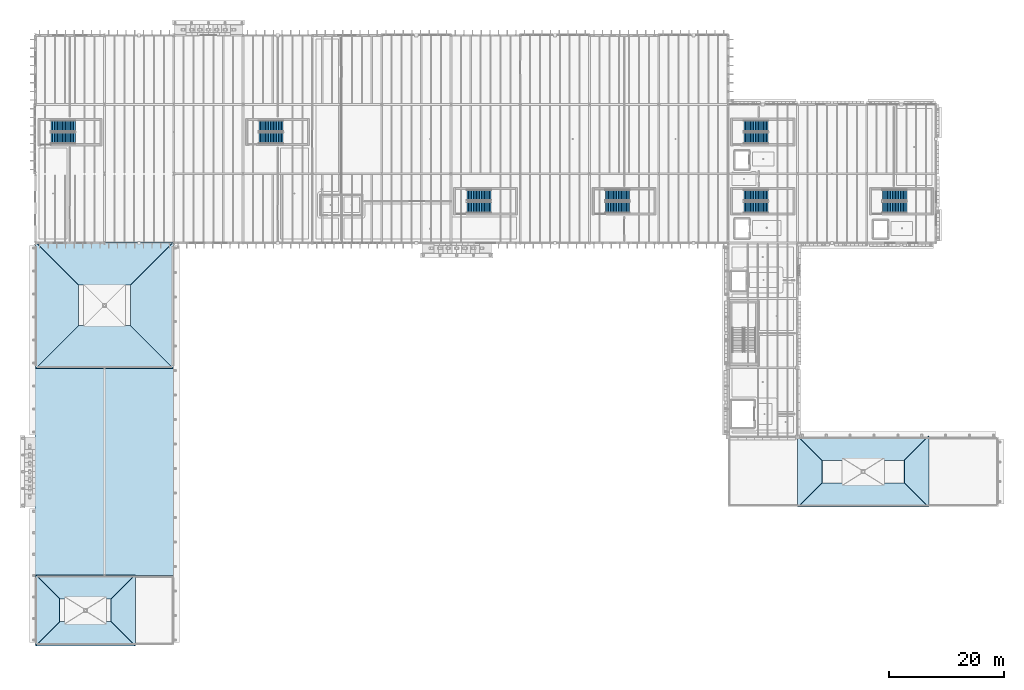
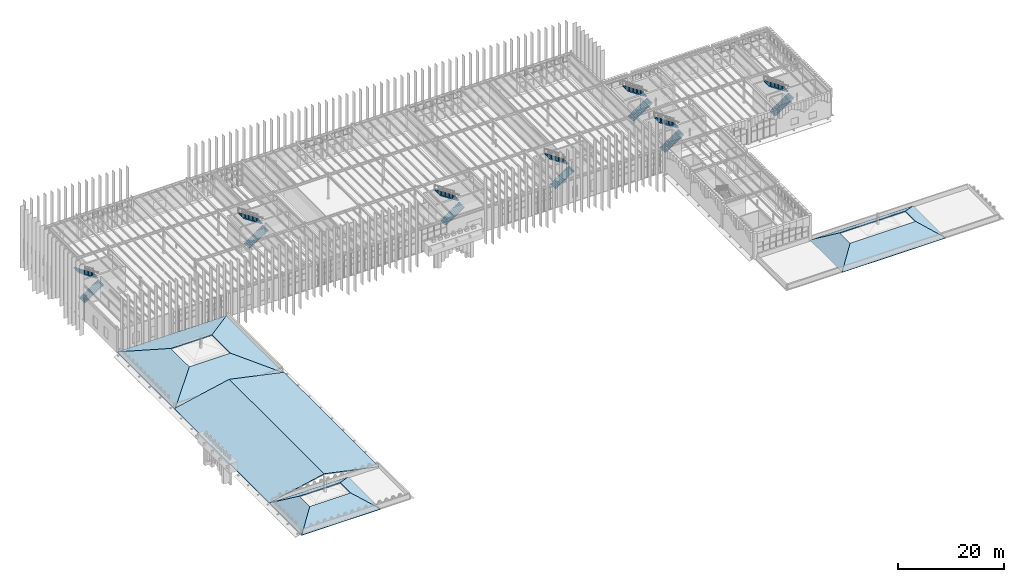
# One storey, part 51 of 83: 14 roofs, 14 stair flights, 7 elements without a shape of their own.
"""IFC4 building model written with IfcOpenShell, lengths in metres."""

from ifc_helpers import new_model, si_unit, direction, frame, origin, place, context, subcontext, project, spatial, polyline, outline, extrude, material, layer, layer_set, type_object, element, aggregate, save


model = new_model("IFC4")

# Units and contexts
model_context = context("Model", 3, precision=1e-05, world=origin(), true_north=direction((0.0, 1.0)))
body_context = subcontext(model_context, "Body", "Model", "MODEL_VIEW")
ifc_project = project(units=[si_unit("LENGTHUNIT", "METRE"), si_unit("AREAUNIT", "SQUARE_METRE"), si_unit("VOLUMEUNIT", "CUBIC_METRE"), si_unit("PLANEANGLEUNIT", "RADIAN"), si_unit("MASSUNIT", "GRAM", prefix="KILO")], contexts=[model_context])

# Site, building, storey
site_placement = place(None, origin())
site = spatial("IfcSite", under=ifc_project, at=site_placement, CompositionType="ELEMENT")
building_placement = place(site_placement, origin())
building = spatial("IfcBuilding", under=site, at=building_placement, Name="Zlatogorsky Bluff Art Gallery", CompositionType="ELEMENT")
storey_placement = place(building_placement, frame((0.0, 0.0, 10.800048828125)))
storey = spatial("IfcBuildingStorey", under=building, at=storey_placement, Name="L02", CompositionType="ELEMENT", Elevation=10.800048828125)

# Stair, stair flights
ifc_material_1 = material(Name="Concrete C30/37", Category="concrete")
stair_type = type_object("IfcStairType", Name="Protected Dogleg Stair ST-T6", PredefinedType="HALF_TURN_STAIR", material=ifc_material_1)
stair_1_placement = place(storey_placement, origin())
stair_1 = element("IfcStair", 1, at=stair_1_placement, inside=storey, type_object=stair_type, Name="L02 Protected Exit Stair ST-01", PredefinedType="HALF_TURN_STAIR")
stair_flight_type = type_object("IfcStairFlightType", Name="Stair Flight ST-T6", PredefinedType="STRAIGHT", material=ifc_material_1)
stair_flight_1_placement = place(storey_placement, frame((98.75, 90.175048828125, 0.0), z_axis=(0.0, 0.0, 1.0), x_axis=(1.0, 0.0, 0.0)))
stair_flight_1 = element("IfcStairFlight", 2, at=stair_flight_1_placement, type_object=stair_flight_type, Name="ST-01 flight 1", NumberOfRisers=16, NumberOfTreads=15, PredefinedType="STRAIGHT", RiserHeight=0.1875, TreadLength=0.28, context=body_context, shape_type="SweptSolid", body=[
    extrude(outline(polyline([(0.0, 0.0), (0.0, 0.1875), (0.280029296875, 0.1875), (0.280029296875, 0.375), (0.56005859375, 0.375), (0.56005859375, 0.5625), (0.840087890625, 0.5625), (0.840087890625, 0.75), (1.1201171875, 0.75), (1.1201171875, 0.9375), (1.39990234375, 0.9375), (1.39990234375, 1.125), (1.679931640625, 1.125), (1.679931640625, 1.3125), (1.9599609375, 1.3125), (1.9599609375, 1.5), (2.239990234375, 1.5), (2.239990234375, 1.6875), (2.52001953125, 1.6875), (2.52001953125, 1.875), (2.800048828125, 1.875), (2.800048828125, 2.0625), (3.080078125, 2.0625), (3.080078125, 2.25), (3.360107421875, 2.25), (3.360107421875, 2.4375), (3.639892578125, 2.4375), (3.639892578125, 2.625), (3.919921875, 2.625), (3.919921875, 2.8125), (4.199951171875, 2.8125), (4.199951171875, 3.0), (4.199951171875, 2.595947265625), (0.323486328125, 0.0), (0.0, 0.0)])), frame((0.0, 0.97509765625, 0.0), z_axis=(0.0, -1.0, 0.0), x_axis=(1.0, 0.0, 0.0)), (0.0, 0.0, 1.0), 1.949951171875),
])
stair_flight_2_placement = place(storey_placement, frame((102.949951171875, 92.27490234375, 3.0), z_axis=(0.0, 0.0, 1.0), x_axis=(-1.0, 0.0, 0.0)))
stair_flight_2 = element("IfcStairFlight", 3, at=stair_flight_2_placement, type_object=stair_flight_type, Name="ST-01 flight 2", NumberOfRisers=16, NumberOfTreads=15, PredefinedType="STRAIGHT", RiserHeight=0.1875, TreadLength=0.28, context=body_context, shape_type="SweptSolid", body=[
    extrude(outline(polyline([(0.0, 0.0), (0.0, 0.1875), (0.280029296875, 0.1875), (0.280029296875, 0.375), (0.56005859375, 0.375), (0.56005859375, 0.5625), (0.840087890625, 0.5625), (0.840087890625, 0.75), (1.1201171875, 0.75), (1.1201171875, 0.9375), (1.39990234375, 0.9375), (1.39990234375, 1.125), (1.679931640625, 1.125), (1.679931640625, 1.3125), (1.9599609375, 1.3125), (1.9599609375, 1.5), (2.239990234375, 1.5), (2.239990234375, 1.6875), (2.52001953125, 1.6875), (2.52001953125, 1.875), (2.800048828125, 1.875), (2.800048828125, 2.0625), (3.080078125, 2.0625), (3.080078125, 2.25), (3.360107421875, 2.25), (3.360107421875, 2.4375), (3.639892578125, 2.4375), (3.639892578125, 2.625), (3.919921875, 2.625), (3.919921875, 2.8125), (4.199951171875, 2.8125), (4.199951171875, 3.0), (4.199951171875, 2.595947265625), (0.323486328125, 0.0), (0.0, 0.0)])), frame((0.0, 0.97509765625, 0.0), z_axis=(0.0, -1.0, 0.0), x_axis=(1.0, 0.0, 0.0)), (0.0, 0.0, 1.0), 1.949951171875),
])
aggregate(stair_1, [stair_flight_1, stair_flight_2])

stair_2_placement = place(storey_placement, origin())
stair_2 = element("IfcStair", 4, at=stair_2_placement, inside=storey, type_object=stair_type, Name="L02 Protected Exit Stair ST-02", PredefinedType="HALF_TURN_STAIR")
stair_flight_3_placement = place(storey_placement, frame((122.75, 90.175048828125, 0.0), z_axis=(0.0, 0.0, 1.0), x_axis=(1.0, 0.0, 0.0)))
stair_flight_3 = element("IfcStairFlight", 5, at=stair_flight_3_placement, type_object=stair_flight_type, Name="ST-02 flight 1", NumberOfRisers=16, NumberOfTreads=15, PredefinedType="STRAIGHT", RiserHeight=0.1875, TreadLength=0.28, context=body_context, shape_type="SweptSolid", body=[
    extrude(outline(polyline([(0.0, 0.0), (0.0, 0.1875), (0.280029296875, 0.1875), (0.280029296875, 0.375), (0.56005859375, 0.375), (0.56005859375, 0.5625), (0.840087890625, 0.5625), (0.840087890625, 0.75), (1.1201171875, 0.75), (1.1201171875, 0.9375), (1.39990234375, 0.9375), (1.39990234375, 1.125), (1.679931640625, 1.125), (1.679931640625, 1.3125), (1.9599609375, 1.3125), (1.9599609375, 1.5), (2.239990234375, 1.5), (2.239990234375, 1.6875), (2.52001953125, 1.6875), (2.52001953125, 1.875), (2.800048828125, 1.875), (2.800048828125, 2.0625), (3.080078125, 2.0625), (3.080078125, 2.25), (3.360107421875, 2.25), (3.360107421875, 2.4375), (3.639892578125, 2.4375), (3.639892578125, 2.625), (3.919921875, 2.625), (3.919921875, 2.8125), (4.199951171875, 2.8125), (4.199951171875, 3.0), (4.199951171875, 2.595947265625), (0.323486328125, 0.0), (0.0, 0.0)])), frame((0.0, 0.97509765625, 0.0), z_axis=(0.0, -1.0, 0.0), x_axis=(1.0, 0.0, 0.0)), (0.0, 0.0, 1.0), 1.949951171875),
])
stair_flight_4_placement = place(storey_placement, frame((126.949951171875, 92.27490234375, 3.0), z_axis=(0.0, 0.0, 1.0), x_axis=(-1.0, 0.0, 0.0)))
stair_flight_4 = element("IfcStairFlight", 6, at=stair_flight_4_placement, type_object=stair_flight_type, Name="ST-02 flight 2", NumberOfRisers=16, NumberOfTreads=15, PredefinedType="STRAIGHT", RiserHeight=0.1875, TreadLength=0.28, context=body_context, shape_type="SweptSolid", body=[
    extrude(outline(polyline([(0.0, 0.0), (0.0, 0.1875), (0.280029296875, 0.1875), (0.280029296875, 0.375), (0.56005859375, 0.375), (0.56005859375, 0.5625), (0.840087890625, 0.5625), (0.840087890625, 0.75), (1.1201171875, 0.75), (1.1201171875, 0.9375), (1.39990234375, 0.9375), (1.39990234375, 1.125), (1.679931640625, 1.125), (1.679931640625, 1.3125), (1.9599609375, 1.3125), (1.9599609375, 1.5), (2.239990234375, 1.5), (2.239990234375, 1.6875), (2.52001953125, 1.6875), (2.52001953125, 1.875), (2.800048828125, 1.875), (2.800048828125, 2.0625), (3.080078125, 2.0625), (3.080078125, 2.25), (3.360107421875, 2.25), (3.360107421875, 2.4375), (3.639892578125, 2.4375), (3.639892578125, 2.625), (3.919921875, 2.625), (3.919921875, 2.8125), (4.199951171875, 2.8125), (4.199951171875, 3.0), (4.199951171875, 2.595947265625), (0.323486328125, 0.0), (0.0, 0.0)])), frame((0.0, 0.97509765625, 0.0), z_axis=(0.0, -1.0, 0.0), x_axis=(1.0, 0.0, 0.0)), (0.0, 0.0, 1.0), 1.949951171875),
])
aggregate(stair_2, [stair_flight_3, stair_flight_4])

stair_3_placement = place(storey_placement, origin())
stair_3 = element("IfcStair", 7, at=stair_3_placement, inside=storey, type_object=stair_type, Name="L02 Protected Exit Stair ST-03", PredefinedType="HALF_TURN_STAIR")
stair_flight_5_placement = place(storey_placement, frame((122.75, 102.175048828125, 0.0), z_axis=(0.0, 0.0, 1.0), x_axis=(1.0, 0.0, 0.0)))
stair_flight_5 = element("IfcStairFlight", 8, at=stair_flight_5_placement, type_object=stair_flight_type, Name="ST-03 flight 1", NumberOfRisers=16, NumberOfTreads=15, PredefinedType="STRAIGHT", RiserHeight=0.1875, TreadLength=0.28, context=body_context, shape_type="SweptSolid", body=[
    extrude(outline(polyline([(0.0, 0.0), (0.0, 0.1875), (0.280029296875, 0.1875), (0.280029296875, 0.375), (0.56005859375, 0.375), (0.56005859375, 0.5625), (0.840087890625, 0.5625), (0.840087890625, 0.75), (1.1201171875, 0.75), (1.1201171875, 0.9375), (1.39990234375, 0.9375), (1.39990234375, 1.125), (1.679931640625, 1.125), (1.679931640625, 1.3125), (1.9599609375, 1.3125), (1.9599609375, 1.5), (2.239990234375, 1.5), (2.239990234375, 1.6875), (2.52001953125, 1.6875), (2.52001953125, 1.875), (2.800048828125, 1.875), (2.800048828125, 2.0625), (3.080078125, 2.0625), (3.080078125, 2.25), (3.360107421875, 2.25), (3.360107421875, 2.4375), (3.639892578125, 2.4375), (3.639892578125, 2.625), (3.919921875, 2.625), (3.919921875, 2.8125), (4.199951171875, 2.8125), (4.199951171875, 3.0), (4.199951171875, 2.595947265625), (0.323486328125, 0.0), (0.0, 0.0)])), frame((0.0, 0.97509765625, 0.0), z_axis=(0.0, -1.0, 0.0), x_axis=(1.0, 0.0, 0.0)), (0.0, 0.0, 1.0), 1.949951171875),
])
stair_flight_6_placement = place(storey_placement, frame((126.949951171875, 104.27490234375, 3.0), z_axis=(0.0, 0.0, 1.0), x_axis=(-1.0, 0.0, 0.0)))
stair_flight_6 = element("IfcStairFlight", 9, at=stair_flight_6_placement, type_object=stair_flight_type, Name="ST-03 flight 2", NumberOfRisers=16, NumberOfTreads=15, PredefinedType="STRAIGHT", RiserHeight=0.1875, TreadLength=0.28, context=body_context, shape_type="SweptSolid", body=[
    extrude(outline(polyline([(0.0, 0.0), (0.0, 0.1875), (0.280029296875, 0.1875), (0.280029296875, 0.375), (0.56005859375, 0.375), (0.56005859375, 0.5625), (0.840087890625, 0.5625), (0.840087890625, 0.75), (1.1201171875, 0.75), (1.1201171875, 0.9375), (1.39990234375, 0.9375), (1.39990234375, 1.125), (1.679931640625, 1.125), (1.679931640625, 1.3125), (1.9599609375, 1.3125), (1.9599609375, 1.5), (2.239990234375, 1.5), (2.239990234375, 1.6875), (2.52001953125, 1.6875), (2.52001953125, 1.875), (2.800048828125, 1.875), (2.800048828125, 2.0625), (3.080078125, 2.0625), (3.080078125, 2.25), (3.360107421875, 2.25), (3.360107421875, 2.4375), (3.639892578125, 2.4375), (3.639892578125, 2.625), (3.919921875, 2.625), (3.919921875, 2.8125), (4.199951171875, 2.8125), (4.199951171875, 3.0), (4.199951171875, 2.595947265625), (0.323486328125, 0.0), (0.0, 0.0)])), frame((0.0, 0.97509765625, 0.0), z_axis=(0.0, -1.0, 0.0), x_axis=(1.0, 0.0, 0.0)), (0.0, 0.0, 1.0), 1.949951171875),
])
aggregate(stair_3, [stair_flight_5, stair_flight_6])

stair_4_placement = place(storey_placement, origin())
stair_4 = element("IfcStair", 10, at=stair_4_placement, inside=storey, type_object=stair_type, Name="L02 Protected Exit Stair ST-04", PredefinedType="HALF_TURN_STAIR")
stair_flight_7_placement = place(storey_placement, frame((146.75, 90.175048828125, 0.0), z_axis=(0.0, 0.0, 1.0), x_axis=(1.0, 0.0, 0.0)))
stair_flight_7 = element("IfcStairFlight", 11, at=stair_flight_7_placement, type_object=stair_flight_type, Name="ST-04 flight 1", NumberOfRisers=16, NumberOfTreads=15, PredefinedType="STRAIGHT", RiserHeight=0.1875, TreadLength=0.28, context=body_context, shape_type="SweptSolid", body=[
    extrude(outline(polyline([(0.0, 0.0), (0.0, 0.1875), (0.280029296875, 0.1875), (0.280029296875, 0.375), (0.56005859375, 0.375), (0.56005859375, 0.5625), (0.840087890625, 0.5625), (0.840087890625, 0.75), (1.1201171875, 0.75), (1.1201171875, 0.9375), (1.39990234375, 0.9375), (1.39990234375, 1.125), (1.679931640625, 1.125), (1.679931640625, 1.3125), (1.9599609375, 1.3125), (1.9599609375, 1.5), (2.239990234375, 1.5), (2.239990234375, 1.6875), (2.52001953125, 1.6875), (2.52001953125, 1.875), (2.800048828125, 1.875), (2.800048828125, 2.0625), (3.080078125, 2.0625), (3.080078125, 2.25), (3.360107421875, 2.25), (3.360107421875, 2.4375), (3.639892578125, 2.4375), (3.639892578125, 2.625), (3.919921875, 2.625), (3.919921875, 2.8125), (4.199951171875, 2.8125), (4.199951171875, 3.0), (4.199951171875, 2.595947265625), (0.323486328125, 0.0), (0.0, 0.0)])), frame((0.0, 0.97509765625, 0.0), z_axis=(0.0, -1.0, 0.0), x_axis=(1.0, 0.0, 0.0)), (0.0, 0.0, 1.0), 1.949951171875),
])
stair_flight_8_placement = place(storey_placement, frame((150.949951171875, 92.27490234375, 3.0), z_axis=(0.0, 0.0, 1.0), x_axis=(-1.0, 0.0, 0.0)))
stair_flight_8 = element("IfcStairFlight", 12, at=stair_flight_8_placement, type_object=stair_flight_type, Name="ST-04 flight 2", NumberOfRisers=16, NumberOfTreads=15, PredefinedType="STRAIGHT", RiserHeight=0.1875, TreadLength=0.28, context=body_context, shape_type="SweptSolid", body=[
    extrude(outline(polyline([(0.0, 0.0), (0.0, 0.1875), (0.280029296875, 0.1875), (0.280029296875, 0.375), (0.56005859375, 0.375), (0.56005859375, 0.5625), (0.840087890625, 0.5625), (0.840087890625, 0.75), (1.1201171875, 0.75), (1.1201171875, 0.9375), (1.39990234375, 0.9375), (1.39990234375, 1.125), (1.679931640625, 1.125), (1.679931640625, 1.3125), (1.9599609375, 1.3125), (1.9599609375, 1.5), (2.239990234375, 1.5), (2.239990234375, 1.6875), (2.52001953125, 1.6875), (2.52001953125, 1.875), (2.800048828125, 1.875), (2.800048828125, 2.0625), (3.080078125, 2.0625), (3.080078125, 2.25), (3.360107421875, 2.25), (3.360107421875, 2.4375), (3.639892578125, 2.4375), (3.639892578125, 2.625), (3.919921875, 2.625), (3.919921875, 2.8125), (4.199951171875, 2.8125), (4.199951171875, 3.0), (4.199951171875, 2.595947265625), (0.323486328125, 0.0), (0.0, 0.0)])), frame((0.0, 0.97509765625, 0.0), z_axis=(0.0, -1.0, 0.0), x_axis=(1.0, 0.0, 0.0)), (0.0, 0.0, 1.0), 1.949951171875),
])
aggregate(stair_4, [stair_flight_7, stair_flight_8])

stair_5_placement = place(storey_placement, origin())
stair_5 = element("IfcStair", 13, at=stair_5_placement, inside=storey, type_object=stair_type, Name="L02 Protected Exit Stair ST-05", PredefinedType="HALF_TURN_STAIR")
stair_flight_9_placement = place(storey_placement, frame((2.75, 102.175048828125, 0.0), z_axis=(0.0, 0.0, 1.0), x_axis=(1.0, 0.0, 0.0)))
stair_flight_9 = element("IfcStairFlight", 14, at=stair_flight_9_placement, type_object=stair_flight_type, Name="ST-05 flight 1", NumberOfRisers=16, NumberOfTreads=15, PredefinedType="STRAIGHT", RiserHeight=0.1875, TreadLength=0.28, context=body_context, shape_type="SweptSolid", body=[
    extrude(outline(polyline([(0.0, 0.0), (0.0, 0.1875), (0.280029296875, 0.1875), (0.280029296875, 0.375), (0.56005859375, 0.375), (0.56005859375, 0.5625), (0.840087890625, 0.5625), (0.840087890625, 0.75), (1.1201171875, 0.75), (1.1201171875, 0.9375), (1.39990234375, 0.9375), (1.39990234375, 1.125), (1.679931640625, 1.125), (1.679931640625, 1.3125), (1.9599609375, 1.3125), (1.9599609375, 1.5), (2.239990234375, 1.5), (2.239990234375, 1.6875), (2.52001953125, 1.6875), (2.52001953125, 1.875), (2.800048828125, 1.875), (2.800048828125, 2.0625), (3.080078125, 2.0625), (3.080078125, 2.25), (3.360107421875, 2.25), (3.360107421875, 2.4375), (3.639892578125, 2.4375), (3.639892578125, 2.625), (3.919921875, 2.625), (3.919921875, 2.8125), (4.199951171875, 2.8125), (4.199951171875, 3.0), (4.199951171875, 2.595947265625), (0.323486328125, 0.0), (0.0, 0.0)])), frame((0.0, 0.97509765625, 0.0), z_axis=(0.0, -1.0, 0.0), x_axis=(1.0, 0.0, 0.0)), (0.0, 0.0, 1.0), 1.949951171875),
])
stair_flight_10_placement = place(storey_placement, frame((6.949951171875, 104.27490234375, 3.0), z_axis=(0.0, 0.0, 1.0), x_axis=(-1.0, 0.0, 0.0)))
stair_flight_10 = element("IfcStairFlight", 15, at=stair_flight_10_placement, type_object=stair_flight_type, Name="ST-05 flight 2", NumberOfRisers=16, NumberOfTreads=15, PredefinedType="STRAIGHT", RiserHeight=0.1875, TreadLength=0.28, context=body_context, shape_type="SweptSolid", body=[
    extrude(outline(polyline([(0.0, 0.0), (0.0, 0.1875), (0.280029296875, 0.1875), (0.280029296875, 0.375), (0.56005859375, 0.375), (0.56005859375, 0.5625), (0.840087890625, 0.5625), (0.840087890625, 0.75), (1.1201171875, 0.75), (1.1201171875, 0.9375), (1.39990234375, 0.9375), (1.39990234375, 1.125), (1.679931640625, 1.125), (1.679931640625, 1.3125), (1.9599609375, 1.3125), (1.9599609375, 1.5), (2.239990234375, 1.5), (2.239990234375, 1.6875), (2.52001953125, 1.6875), (2.52001953125, 1.875), (2.800048828125, 1.875), (2.800048828125, 2.0625), (3.080078125, 2.0625), (3.080078125, 2.25), (3.360107421875, 2.25), (3.360107421875, 2.4375), (3.639892578125, 2.4375), (3.639892578125, 2.625), (3.919921875, 2.625), (3.919921875, 2.8125), (4.199951171875, 2.8125), (4.199951171875, 3.0), (4.199951171875, 2.595947265625), (0.323486328125, 0.0), (0.0, 0.0)])), frame((0.0, 0.97509765625, 0.0), z_axis=(0.0, -1.0, 0.0), x_axis=(1.0, 0.0, 0.0)), (0.0, 0.0, 1.0), 1.949951171875),
])
aggregate(stair_5, [stair_flight_9, stair_flight_10])

stair_6_placement = place(storey_placement, origin())
stair_6 = element("IfcStair", 16, at=stair_6_placement, inside=storey, type_object=stair_type, Name="L02 Protected Exit Stair ST-07", PredefinedType="HALF_TURN_STAIR")
stair_flight_11_placement = place(storey_placement, frame((38.75, 102.175048828125, 0.0), z_axis=(0.0, 0.0, 1.0), x_axis=(1.0, 0.0, 0.0)))
stair_flight_11 = element("IfcStairFlight", 17, at=stair_flight_11_placement, type_object=stair_flight_type, Name="ST-07 flight 1", NumberOfRisers=16, NumberOfTreads=15, PredefinedType="STRAIGHT", RiserHeight=0.1875, TreadLength=0.28, context=body_context, shape_type="SweptSolid", body=[
    extrude(outline(polyline([(0.0, 0.0), (0.0, 0.1875), (0.280029296875, 0.1875), (0.280029296875, 0.375), (0.56005859375, 0.375), (0.56005859375, 0.5625), (0.840087890625, 0.5625), (0.840087890625, 0.75), (1.1201171875, 0.75), (1.1201171875, 0.9375), (1.39990234375, 0.9375), (1.39990234375, 1.125), (1.679931640625, 1.125), (1.679931640625, 1.3125), (1.9599609375, 1.3125), (1.9599609375, 1.5), (2.239990234375, 1.5), (2.239990234375, 1.6875), (2.52001953125, 1.6875), (2.52001953125, 1.875), (2.800048828125, 1.875), (2.800048828125, 2.0625), (3.080078125, 2.0625), (3.080078125, 2.25), (3.360107421875, 2.25), (3.360107421875, 2.4375), (3.639892578125, 2.4375), (3.639892578125, 2.625), (3.919921875, 2.625), (3.919921875, 2.8125), (4.199951171875, 2.8125), (4.199951171875, 3.0), (4.199951171875, 2.595947265625), (0.323486328125, 0.0), (0.0, 0.0)])), frame((0.0, 0.97509765625, 0.0), z_axis=(0.0, -1.0, 0.0), x_axis=(1.0, 0.0, 0.0)), (0.0, 0.0, 1.0), 1.949951171875),
])
stair_flight_12_placement = place(storey_placement, frame((42.949951171875, 104.27490234375, 3.0), z_axis=(0.0, 0.0, 1.0), x_axis=(-1.0, 0.0, 0.0)))
stair_flight_12 = element("IfcStairFlight", 18, at=stair_flight_12_placement, type_object=stair_flight_type, Name="ST-07 flight 2", NumberOfRisers=16, NumberOfTreads=15, PredefinedType="STRAIGHT", RiserHeight=0.1875, TreadLength=0.28, context=body_context, shape_type="SweptSolid", body=[
    extrude(outline(polyline([(0.0, 0.0), (0.0, 0.1875), (0.280029296875, 0.1875), (0.280029296875, 0.375), (0.56005859375, 0.375), (0.56005859375, 0.5625), (0.840087890625, 0.5625), (0.840087890625, 0.75), (1.1201171875, 0.75), (1.1201171875, 0.9375), (1.39990234375, 0.9375), (1.39990234375, 1.125), (1.679931640625, 1.125), (1.679931640625, 1.3125), (1.9599609375, 1.3125), (1.9599609375, 1.5), (2.239990234375, 1.5), (2.239990234375, 1.6875), (2.52001953125, 1.6875), (2.52001953125, 1.875), (2.800048828125, 1.875), (2.800048828125, 2.0625), (3.080078125, 2.0625), (3.080078125, 2.25), (3.360107421875, 2.25), (3.360107421875, 2.4375), (3.639892578125, 2.4375), (3.639892578125, 2.625), (3.919921875, 2.625), (3.919921875, 2.8125), (4.199951171875, 2.8125), (4.199951171875, 3.0), (4.199951171875, 2.595947265625), (0.323486328125, 0.0), (0.0, 0.0)])), frame((0.0, 0.97509765625, 0.0), z_axis=(0.0, -1.0, 0.0), x_axis=(1.0, 0.0, 0.0)), (0.0, 0.0, 1.0), 1.949951171875),
])
aggregate(stair_6, [stair_flight_11, stair_flight_12])

stair_7_placement = place(storey_placement, origin())
stair_7 = element("IfcStair", 19, at=stair_7_placement, inside=storey, type_object=stair_type, Name="L02 Protected Exit Stair ST-08", PredefinedType="HALF_TURN_STAIR")
stair_flight_13_placement = place(storey_placement, frame((74.75, 90.175048828125, 0.0), z_axis=(0.0, 0.0, 1.0), x_axis=(1.0, 0.0, 0.0)))
stair_flight_13 = element("IfcStairFlight", 20, at=stair_flight_13_placement, type_object=stair_flight_type, Name="ST-08 flight 1", NumberOfRisers=16, NumberOfTreads=15, PredefinedType="STRAIGHT", RiserHeight=0.1875, TreadLength=0.28, context=body_context, shape_type="SweptSolid", body=[
    extrude(outline(polyline([(0.0, 0.0), (0.0, 0.1875), (0.280029296875, 0.1875), (0.280029296875, 0.375), (0.56005859375, 0.375), (0.56005859375, 0.5625), (0.840087890625, 0.5625), (0.840087890625, 0.75), (1.1201171875, 0.75), (1.1201171875, 0.9375), (1.39990234375, 0.9375), (1.39990234375, 1.125), (1.679931640625, 1.125), (1.679931640625, 1.3125), (1.9599609375, 1.3125), (1.9599609375, 1.5), (2.239990234375, 1.5), (2.239990234375, 1.6875), (2.52001953125, 1.6875), (2.52001953125, 1.875), (2.800048828125, 1.875), (2.800048828125, 2.0625), (3.080078125, 2.0625), (3.080078125, 2.25), (3.360107421875, 2.25), (3.360107421875, 2.4375), (3.639892578125, 2.4375), (3.639892578125, 2.625), (3.919921875, 2.625), (3.919921875, 2.8125), (4.199951171875, 2.8125), (4.199951171875, 3.0), (4.199951171875, 2.595947265625), (0.323486328125, 0.0), (0.0, 0.0)])), frame((0.0, 0.97509765625, 0.0), z_axis=(0.0, -1.0, 0.0), x_axis=(1.0, 0.0, 0.0)), (0.0, 0.0, 1.0), 1.949951171875),
])
stair_flight_14_placement = place(storey_placement, frame((78.949951171875, 92.27490234375, 3.0), z_axis=(0.0, 0.0, 1.0), x_axis=(-1.0, 0.0, 0.0)))
stair_flight_14 = element("IfcStairFlight", 21, at=stair_flight_14_placement, type_object=stair_flight_type, Name="ST-08 flight 2", NumberOfRisers=16, NumberOfTreads=15, PredefinedType="STRAIGHT", RiserHeight=0.1875, TreadLength=0.28, context=body_context, shape_type="SweptSolid", body=[
    extrude(outline(polyline([(0.0, 0.0), (0.0, 0.1875), (0.280029296875, 0.1875), (0.280029296875, 0.375), (0.56005859375, 0.375), (0.56005859375, 0.5625), (0.840087890625, 0.5625), (0.840087890625, 0.75), (1.1201171875, 0.75), (1.1201171875, 0.9375), (1.39990234375, 0.9375), (1.39990234375, 1.125), (1.679931640625, 1.125), (1.679931640625, 1.3125), (1.9599609375, 1.3125), (1.9599609375, 1.5), (2.239990234375, 1.5), (2.239990234375, 1.6875), (2.52001953125, 1.6875), (2.52001953125, 1.875), (2.800048828125, 1.875), (2.800048828125, 2.0625), (3.080078125, 2.0625), (3.080078125, 2.25), (3.360107421875, 2.25), (3.360107421875, 2.4375), (3.639892578125, 2.4375), (3.639892578125, 2.625), (3.919921875, 2.625), (3.919921875, 2.8125), (4.199951171875, 2.8125), (4.199951171875, 3.0), (4.199951171875, 2.595947265625), (0.323486328125, 0.0), (0.0, 0.0)])), frame((0.0, 0.97509765625, 0.0), z_axis=(0.0, -1.0, 0.0), x_axis=(1.0, 0.0, 0.0)), (0.0, 0.0, 1.0), 1.949951171875),
])
aggregate(stair_7, [stair_flight_13, stair_flight_14])

# Roofs
ifc_material_2 = material(Name="Patinated Red-Bronze Standing-Seam Insulated Roof", Category="metal")
ifc_layer = layer(ifc_material_2, 0.159912109375)
ifc_layer_set = layer_set([ifc_layer], Name="Standing-Seam Pavilion Roof RF-02")
roof_type = type_object("IfcRoofType", Name="Standing-Seam Pavilion Roof RF-02", PredefinedType="HIP_ROOF", material=ifc_layer_set)
roof_1_placement = place(storey_placement, frame((132.050048828125, 38.25, 0.0), z_axis=(0.0, -0.54944358338, 0.835530818512), x_axis=(1.0, 0.0, 0.0)))
element("IfcRoof", 22, at=roof_1_placement, inside=storey, type_object=roof_type, Name="Mughal pavilion faceted roof slope RF-EAST-PAV.S", PredefinedType="HIP_ROOF", context=body_context, shape_type="SweptSolid", body=[
    extrude(outline(polyline([(0.0, 0.0), (22.699951171875, 0.0), (18.51806640625, 5.005063455438548), (4.181884765625, 5.005063455438548), (0.0, 0.0)])), origin(), (0.0, 0.0, -1.0), 0.159912109375),
])
roof_2_placement = place(storey_placement, frame((154.75, 50.550048828125, 0.0), z_axis=(0.0, 0.549421190901, 0.835545543336), x_axis=(-1.0, 0.0, 0.0)))
element("IfcRoof", 23, at=roof_2_placement, inside=storey, type_object=roof_type, Name="Mughal pavilion faceted roof slope RF-EAST-PAV.N", PredefinedType="HIP_ROOF", context=body_context, shape_type="SweptSolid", body=[
    extrude(outline(polyline([(0.0, 0.0), (22.699951171875, 0.0), (18.51806640625, 5.005267444252288), (4.181884765625, 5.005267444252288), (0.0, 0.0)])), origin(), (0.0, 0.0, -1.0), 0.159912109375),
])
roof_3_placement = place(storey_placement, frame((132.050048828125, 50.550048828125, 0.0), z_axis=(-0.54944358338, 0.0, 0.835530818512), x_axis=(0.0, -1.0, 0.0)))
element("IfcRoof", 24, at=roof_3_placement, inside=storey, type_object=roof_type, Name="Mughal pavilion faceted roof slope RF-EAST-PAV.W", PredefinedType="HIP_ROOF", context=body_context, shape_type="SweptSolid", body=[
    extrude(outline(polyline([(0.0, 0.0), (12.300048828125, 0.0), (8.1181640625, 5.005063455438548), (4.18212890625, 5.005063455438548), (0.0, 0.0)])), origin(), (0.0, 0.0, -1.0), 0.159912109375),
])
roof_4_placement = place(storey_placement, frame((154.75, 38.25, 0.0), z_axis=(0.54944358338, 0.0, 0.835530818512), x_axis=(0.0, 1.0, 0.0)))
element("IfcRoof", 25, at=roof_4_placement, inside=storey, type_object=roof_type, Name="Mughal pavilion faceted roof slope RF-EAST-PAV.E", PredefinedType="HIP_ROOF", context=body_context, shape_type="SweptSolid", body=[
    extrude(outline(polyline([(0.0, 0.0), (12.300048828125, 0.0), (8.117919921875, 5.005063455438548), (4.181884765625, 5.005063455438548), (0.0, 0.0)])), origin(), (0.0, 0.0, -1.0), 0.159912109375),
])
roof_5_placement = place(storey_placement, frame((0.050048828125, 14.25, 0.0), z_axis=(0.0, -0.535250337818, 0.844693480421), x_axis=(1.0, 0.0, 0.0)))
element("IfcRoof", 26, at=roof_5_placement, inside=storey, type_object=roof_type, Name="Mughal pavilion faceted roof slope RF-SW-PAV.S", PredefinedType="HIP_ROOF", context=body_context, shape_type="SweptSolid", body=[
    extrude(outline(polyline([(0.0, 0.0), (17.300048828125, 0.0), (13.117919921875, 4.950771922072174), (4.181884765625, 4.950771922072174), (0.0, 0.0)])), origin(), (0.0, 0.0, -1.0), 0.159912109375),
])
roof_6_placement = place(storey_placement, frame((17.35009765625, 26.550048828125, 0.0), z_axis=(0.0, 0.535228042752, 0.844707607549), x_axis=(-1.0, 0.0, 0.0)))
element("IfcRoof", 27, at=roof_6_placement, inside=storey, type_object=roof_type, Name="Mughal pavilion faceted roof slope RF-SW-PAV.N", PredefinedType="HIP_ROOF", context=body_context, shape_type="SweptSolid", body=[
    extrude(outline(polyline([(0.0, 0.0), (17.300048828125, 0.0), (13.1181640625, 4.9509781477909565), (4.18212890625, 4.9509781477909565), (0.0, 0.0)])), origin(), (0.0, 0.0, -1.0), 0.159912109375),
])
roof_7_placement = place(storey_placement, frame((0.050048828125, 26.550048828125, 0.0), z_axis=(-0.535250337818, 0.0, 0.844693480421), x_axis=(0.0, -1.0, 0.0)))
element("IfcRoof", 28, at=roof_7_placement, inside=storey, type_object=roof_type, Name="Mughal pavilion faceted roof slope RF-SW-PAV.W", PredefinedType="HIP_ROOF", context=body_context, shape_type="SweptSolid", body=[
    extrude(outline(polyline([(0.0, 0.0), (12.300048828125, 0.0), (8.1181640625, 4.950771922072173), (4.18212890625, 4.950771922072173), (0.0, 0.0)])), origin(), (0.0, 0.0, -1.0), 0.159912109375),
])
roof_8_placement = place(storey_placement, frame((17.35009765625, 14.25, 0.0), z_axis=(0.535228042752, 0.0, 0.844707607549), x_axis=(0.0, 1.0, 0.0)))
element("IfcRoof", 29, at=roof_8_placement, inside=storey, type_object=roof_type, Name="Mughal pavilion faceted roof slope RF-SW-PAV.E", PredefinedType="HIP_ROOF", context=body_context, shape_type="SweptSolid", body=[
    extrude(outline(polyline([(0.0, 0.0), (12.300048828125, 0.0), (8.117919921875, 4.950978147790956), (4.181884765625, 4.950978147790956), (0.0, 0.0)])), origin(), (0.0, 0.0, -1.0), 0.159912109375),
])
roof_9_placement = place(storey_placement, frame((0.050048828125, 62.25, 0.0), z_axis=(0.0, -0.340884119471, 0.94010532234), x_axis=(1.0, 0.0, 0.0)))
element("IfcRoof", 30, at=roof_9_placement, inside=storey, type_object=roof_type, Name="Mughal pavilion faceted roof slope RF-WLINK-PAV.S", PredefinedType="HIP_ROOF", context=body_context, shape_type="SweptSolid", body=[
    extrude(outline(polyline([(0.0, 0.0), (23.89990234375, 0.0), (16.453857421875, 7.920436939278645), (7.446044921875, 7.920436939278645), (0.0, 0.0)])), origin(), (0.0, 0.0, -1.0), 0.159912109375),
])
roof_10_placement = place(storey_placement, frame((23.949951171875, 84.14990234375, 0.0), z_axis=(0.0, 0.340893997856, 0.940101740359), x_axis=(-1.0, 0.0, 0.0)))
element("IfcRoof", 31, at=roof_10_placement, inside=storey, type_object=roof_type, Name="Mughal pavilion faceted roof slope RF-WLINK-PAV.N", PredefinedType="HIP_ROOF", context=body_context, shape_type="SweptSolid", body=[
    extrude(outline(polyline([(0.0, 0.0), (23.89990234375, 0.0), (16.453857421875, 7.92020742181493), (7.446044921875, 7.92020742181493), (0.0, 0.0)])), origin(), (0.0, 0.0, -1.0), 0.159912109375),
])
roof_11_placement = place(storey_placement, frame((0.050048828125, 84.14990234375, 0.0), z_axis=(-0.340884119471, 0.0, 0.94010532234), x_axis=(0.0, -1.0, 0.0)))
element("IfcRoof", 32, at=roof_11_placement, inside=storey, type_object=roof_type, Name="Mughal pavilion faceted roof slope RF-WLINK-PAV.W", PredefinedType="HIP_ROOF", context=body_context, shape_type="SweptSolid", body=[
    extrude(outline(polyline([(0.0, 0.0), (21.89990234375, 0.0), (14.453857421875, 7.920436939278645), (7.44580078125, 7.920436939278645), (0.0, 0.0)])), origin(), (0.0, 0.0, -1.0), 0.159912109375),
])
roof_12_placement = place(storey_placement, frame((23.949951171875, 62.25, 0.0), z_axis=(0.340884119471, 0.0, 0.94010532234), x_axis=(0.0, 1.0, 0.0)))
element("IfcRoof", 33, at=roof_12_placement, inside=storey, type_object=roof_type, Name="Mughal pavilion faceted roof slope RF-WLINK-PAV.E", PredefinedType="HIP_ROOF", context=body_context, shape_type="SweptSolid", body=[
    extrude(outline(polyline([(0.0, 0.0), (21.89990234375, 0.0), (14.4541015625, 7.920436939278645), (7.446044921875, 7.920436939278645), (0.0, 0.0)])), origin(), (0.0, 0.0, -1.0), 0.159912109375),
])
for number, where, z_axis, x_axis, name in (
    (34, (0.0, 26.39990234375, 0.099853515625), (-0.20791968542, 0.0, 0.978145901394), (0.978145901394, 0.0, 0.20791968542), "Auditorium standing-seam roof west"),
    (35, (12.0, 26.39990234375, 2.650634765625), (0.20791968542, 0.0, 0.978145901394), (0.978145901394, 0.0, -0.20791968542), "Auditorium standing-seam roof east"),
):
    element("IfcRoof", number, at=place(storey_placement, frame(where, z_axis=z_axis, x_axis=x_axis)), inside=storey, type_object=roof_type, Name=name, PredefinedType="HIP_ROOF", context=body_context, shape_type="SweptSolid", body=[
        extrude(outline(polyline([(0.0, 0.0), (12.26810845180917, 0.0), (12.26810845180917, 36.0), (0.0, 36.0), (0.0, 0.0)])), origin(), (0.0, 0.0, -1.0), 0.10009765625),
    ])

save(model, "model.ifc")
